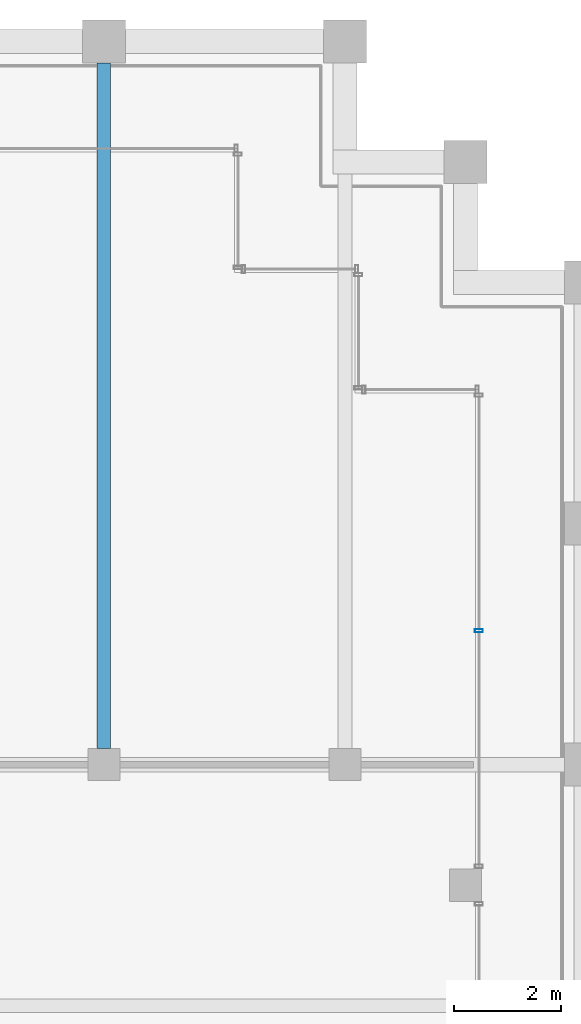
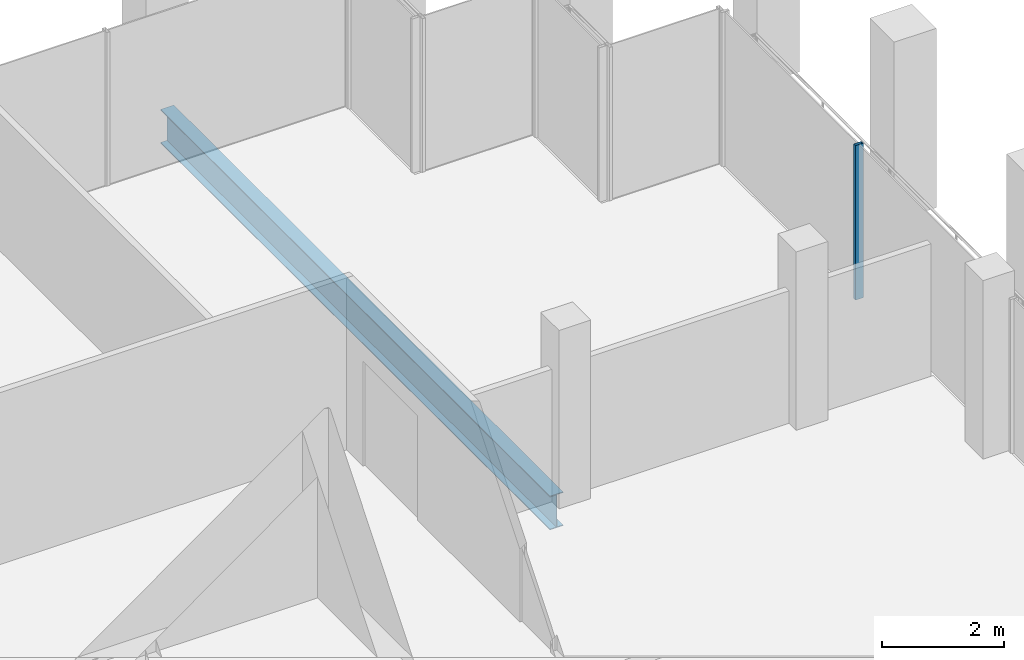
# One storey, part 24 of 30: 1 beam, 1 member, 1 element without a shape of its own.
"""IFC4 building model written with IfcOpenShell, lengths in metres."""

import ifcopenshell
import ifcopenshell.guid

model = None  # the IFC model being written
_history = None  # IfcOwnerHistory: only IFC2X3 demands one
_inside = {}  # id of a spatial element -> (the spatial element, [elements in it])
_under = {}  # id of a project, library or spatial element -> (it, [spatial elements below it])
_declared = {}  # id of a project -> (the project, [libraries it declares])
_typed = {}  # id of a type object -> (the type object, [elements of that type])
_made_of = {}  # id of a material, layer set ... -> (it, [elements and type objects made of it])


def new_model(schema):
    """Start an empty IFC model of exactly this schema.

    Asked for "IFC4X3", IfcOpenShell would pick the latest addendum, in which some entities
    have other attributes; the version numbers below select the first issue.
    IFC2X3 requires an IfcOwnerHistory on every rooted entity: one is made here for all.
    """
    global model, _history
    if schema == "IFC4X3":
        model = ifcopenshell.file(schema_version=(4, 3, 0, 0))
    else:
        model = ifcopenshell.file(schema=schema)
    _inside.clear()
    _under.clear()
    _declared.clear()
    _typed.clear()
    _made_of.clear()
    _history = None
    if model.schema == "IFC2X3":
        org = make("IfcOrganization", Name="unknown")
        user = make(
            "IfcPersonAndOrganization",
            ThePerson=make("IfcPerson", FamilyName="unknown"),
            TheOrganization=org,
        )
        app = make(
            "IfcApplication",
            ApplicationDeveloper=org,
            Version="unknown",
            ApplicationFullName="unknown",
            ApplicationIdentifier="unknown",
        )
        _history = make(
            "IfcOwnerHistory",
            OwningUser=user,
            OwningApplication=app,
            ChangeAction="ADDED",
            CreationDate=0,
        )
    return model


def make(cls, **values):
    """One entity of the class cls with the attributes given. An attribute that is None is left unset."""
    return model.create_entity(
        cls, **{name: value for name, value in values.items() if value is not None}
    )


def rooted(cls, **values):
    """An entity with a GlobalId (a new one), such as an element, a storey or a relation."""
    return make(cls, GlobalId=ifcopenshell.guid.new(), OwnerHistory=_history, **values)


def si_unit(unit_type, name, prefix=None):
    """IfcSIUnit, for example si_unit("LENGTHUNIT", "METRE", prefix="MILLI")."""
    return make("IfcSIUnit", UnitType=unit_type, Prefix=prefix, Name=name)


def assignment(units):
    """IfcUnitAssignment: the units of a project."""
    return None if units is None else make("IfcUnitAssignment", Units=units)


def point(xyz):
    """IfcCartesianPoint."""
    return None if xyz is None else make("IfcCartesianPoint", Coordinates=xyz)


def direction(xyz):
    """IfcDirection."""
    return None if xyz is None else make("IfcDirection", DirectionRatios=xyz)


def frame(location, z_axis=None, x_axis=None):
    """IfcAxis2Placement3D, a coordinate frame: its origin and axes. An axis left out is left unset."""
    return make(
        "IfcAxis2Placement3D",
        Location=point(location),
        Axis=direction(z_axis),
        RefDirection=direction(x_axis),
    )


def frame_2d(location, x_axis=None):
    """IfcAxis2Placement2D, a coordinate frame in the plane: its origin and x axis."""
    return make(
        "IfcAxis2Placement2D", Location=point(location), RefDirection=direction(x_axis)
    )


def origin():
    """The frame at (0, 0, 0) with its axes left unset."""
    return frame((0.0, 0.0, 0.0))


def origin_2d():
    """The frame at (0, 0) in the plane with its x axis left unset."""
    return frame_2d((0.0, 0.0))


def place(relative_to, where):
    """IfcLocalPlacement: puts the frame where relative to a parent placement (None: the world)."""
    return make(
        "IfcLocalPlacement", PlacementRelTo=relative_to, RelativePlacement=where
    )


def context(
    kind, dimensions, precision=None, world=None, true_north=None, identifier=None
):
    """IfcGeometricRepresentationContext, for example the 3D "Model" context."""
    return make(
        "IfcGeometricRepresentationContext",
        ContextIdentifier=identifier,
        ContextType=kind,
        CoordinateSpaceDimension=dimensions,
        Precision=precision,
        WorldCoordinateSystem=world,
        TrueNorth=true_north,
    )


def subcontext(parent, identifier, kind, view, scale=None):
    """IfcGeometricRepresentationSubContext, for example "Body" below "Model"."""
    return make(
        "IfcGeometricRepresentationSubContext",
        ContextIdentifier=identifier,
        ContextType=kind,
        ParentContext=parent,
        TargetScale=scale,
        TargetView=view,
    )


def project(units=None, contexts=None):
    """IfcProject with its units and contexts."""
    return rooted(
        "IfcProject",
        Name="project",
        RepresentationContexts=contexts,
        UnitsInContext=assignment(units),
    )


def spatial(cls, under=None, at=None, **own):
    """A site, building, storey or space (cls), placed at a placement, below another one or the project."""
    s = rooted(cls, ObjectPlacement=at, **own)
    if under is not None:
        _under.setdefault(under.id(), (under, []))[1].append(s)
    return s


def profile(cls, at=None, kind="AREA", **sizes):
    """A parametric profile (cls). Its sizes go by their IFC names, for example OverallWidth=200.0."""
    return make(cls, ProfileType=kind, Position=at, **sizes)


def hollow_rectangle(**sizes):
    """IfcRectangleHollowProfileDef."""
    return profile("IfcRectangleHollowProfileDef", **sizes)


def i_section(**sizes):
    """IfcIShapeProfileDef."""
    return profile("IfcIShapeProfileDef", **sizes)


def extrude(swept, where, along, depth):
    """IfcExtrudedAreaSolid: the profile swept, set in the frame where, extruded along a direction by depth."""
    return make(
        "IfcExtrudedAreaSolid",
        SweptArea=swept,
        Position=where,
        ExtrudedDirection=direction(along),
        Depth=depth,
    )


def shape(context_of_items, identifier, shape_type, items):
    """IfcShapeRepresentation: the items that make up one representation, for example the "Body"."""
    return make(
        "IfcShapeRepresentation",
        ContextOfItems=context_of_items,
        RepresentationIdentifier=identifier,
        RepresentationType=shape_type,
        Items=items,
    )


def material(Name=None, Category=None):
    """IfcMaterial."""
    return make("IfcMaterial", Name=Name, Category=Category)


def material_profile(
    of_material, cross_section, Name=None, Category=None, Priority=None
):
    """IfcMaterialProfile: a cross section and its material."""
    return make(
        "IfcMaterialProfile",
        Name=Name,
        Material=of_material,
        Profile=cross_section,
        Priority=Priority,
        Category=Category,
    )


def profile_set(profiles, Name=None, composite=None):
    """IfcMaterialProfileSet."""
    return make(
        "IfcMaterialProfileSet",
        Name=Name,
        MaterialProfiles=profiles,
        CompositeProfile=composite,
    )


def made_of(thing, what):
    """Note that an element or type object is made of a material, layer set ...; save() writes the relation."""
    if what is not None:
        _made_of.setdefault(what.id(), (what, []))[1].append(thing)
    return thing


def type_object(cls, material=None, **own):
    """A type object (cls), such as IfcWallType, which elements share."""
    return made_of(rooted(cls, **own), material)


def element(
    cls,
    number,
    at=None,
    inside=None,
    cuts=None,
    type_object=None,
    material=None,
    context=None,
    identifier="Body",
    shape_type=None,
    held_by="IfcProductDefinitionShape",
    body=None,
    shapes=None,
    **own,
):
    """One element of the class cls, such as IfcWall. Its Tag is "e" and its number.

    at: its placement. inside: the storey or other place that contains it. cuts: it is an
    opening in that element (IfcRelVoidsElement). A single representation is given by context,
    identifier, shape_type and body (its items); several are given by shapes. held_by: the class
    of the entity that holds the representations. save() writes the other relations.
    """
    e = rooted(cls, Tag="e%d" % number, ObjectPlacement=at, **own)
    if body is not None:
        shapes = [shape(context, identifier, shape_type, body)]
    if shapes is not None:
        e.Representation = make(held_by, Representations=shapes)
    if inside is not None:
        _inside.setdefault(inside.id(), (inside, []))[1].append(e)
    if cuts is not None:
        rooted(
            "IfcRelVoidsElement", RelatingBuildingElement=cuts, RelatedOpeningElement=e
        )
    if type_object is not None:
        _typed.setdefault(type_object.id(), (type_object, []))[1].append(e)
    return made_of(e, material)


def aggregate(whole, parts):
    """IfcRelAggregates: a whole, such as a stair, and the parts it consists of."""
    return rooted("IfcRelAggregates", RelatingObject=whole, RelatedObjects=parts)


def save(model, path):
    """Write the relations noted so far, then the file.

    IfcRelAggregates (storeys below a building ...), IfcRelContainedInSpatialStructure (elements
    in a storey), IfcRelDefinesByType, IfcRelAssociatesMaterial and IfcRelDeclares: one each for
    every whole, place, type object, material and project.
    """
    for whole, parts in _under.values():
        aggregate(whole, parts)
    for where, things in _inside.values():
        rooted(
            "IfcRelContainedInSpatialStructure",
            RelatedElements=things,
            RelatingStructure=where,
        )
    for kind, things in _typed.values():
        rooted("IfcRelDefinesByType", RelatedObjects=things, RelatingType=kind)
    for what, things in _made_of.values():
        rooted("IfcRelAssociatesMaterial", RelatedObjects=things, RelatingMaterial=what)
    for by, libraries in _declared.values():
        rooted("IfcRelDeclares", RelatingContext=by, RelatedDefinitions=libraries)
    model.write(path)


model = new_model("IFC4")

# Units and contexts
model_context = context("Model", 3, precision=1e-05, world=origin(), true_north=direction((0.0, 1.0)))
body_context = subcontext(model_context, "Body", "Model", "MODEL_VIEW")
ifc_project = project(units=[si_unit("LENGTHUNIT", "METRE"), si_unit("AREAUNIT", "SQUARE_METRE"), si_unit("VOLUMEUNIT", "CUBIC_METRE"), si_unit("PLANEANGLEUNIT", "RADIAN"), si_unit("MASSUNIT", "GRAM", prefix="KILO")], contexts=[model_context])

# Site, building, storey
site_placement = place(None, origin())
site = spatial("IfcSite", under=ifc_project, at=site_placement, CompositionType="ELEMENT")
building_placement = place(site_placement, origin())
building = spatial("IfcBuilding", under=site, at=building_placement, Name="Altepetl Exchange Towers", CompositionType="ELEMENT")
storey_placement = place(building_placement, frame((0.0, 0.0, 228.0)))
storey = spatial("IfcBuildingStorey", under=building, at=storey_placement, Name="L58", CompositionType="ELEMENT", Elevation=228.0)

# Beam
ifc_material_1 = material(Name="Steel S355", Category="steel")
ifc_material_profile_1 = material_profile(ifc_material_1, i_section(OverallWidth=0.2529296875, OverallDepth=0.677978515625, WebThickness=0.01171875, FlangeThickness=0.016357421875, at=origin_2d()), Name="W27X84")
ifc_profile_set_1 = profile_set([ifc_material_profile_1], Name="Steel S355")
beam_type = type_object("IfcBeamType", Name="Floor beam W27X84", PredefinedType="BEAM", material=ifc_profile_set_1)
beam_placement = place(storey_placement, frame((63.0, 58.800048828125, -0.489013671875), z_axis=(0.0, 1.0, 0.0), x_axis=(-1.0, 0.0, 0.0)))
element("IfcBeam", 1, at=beam_placement, inside=storey, type_object=beam_type, Name="bm:A:L58:004", PredefinedType="BEAM", context=body_context, shape_type="SweptSolid", body=[
    extrude(i_section(OverallWidth=0.2529296875, OverallDepth=0.677978515625, WebThickness=0.01171875, FlangeThickness=0.016357421875, at=origin_2d()), origin(), (0.0, 0.0, 1.0), 12.800048828125),
])

# Curtain wall, member
ifc_material_2 = material(Name="Aluminium 6063-T6 glazing", Category="aluminium")
curtain_wall_type = type_object("IfcCurtainWallType", Name="Loggia glazing system", PredefinedType="NOTDEFINED", material=ifc_material_2)
curtain_wall_placement = place(storey_placement, origin())
curtain_wall = element("IfcCurtainWall", 2, at=curtain_wall_placement, inside=storey, type_object=curtain_wall_type, Name="CW1 run", PredefinedType="NOTDEFINED")
ifc_material_3 = material(Name="Aluminium 6063-T6", Category="aluminium")
ifc_material_profile_2 = material_profile(ifc_material_3, hollow_rectangle(XDim=0.06005859375, YDim=0.14990234375, WallThickness=0.0029296875, at=origin_2d()), Name="Mullion 60x150 aluminium")
ifc_profile_set_2 = profile_set([ifc_material_profile_2], Name="Aluminium 6063-T6")
member_type = type_object("IfcMemberType", Name="Mullion 60x150 aluminium", PredefinedType="MULLION", material=ifc_profile_set_2)
member_placement = place(storey_placement, frame((70.0, 60.99755859375, 0.0), z_axis=(0.0, 0.0, 1.0), x_axis=(0.0, 1.0, 0.0)))
member = element("IfcMember", 3, at=member_placement, type_object=member_type, Name="MU1 mullion", PredefinedType="MULLION", context=body_context, shape_type="SweptSolid", body=[
    extrude(hollow_rectangle(XDim=0.06005859375, YDim=0.14990234375, WallThickness=0.0029296875, at=origin_2d()), origin(), (0.0, 0.0, 1.0), 3.10009765625),
])
aggregate(curtain_wall, [member])

save(model, "model.ifc")
